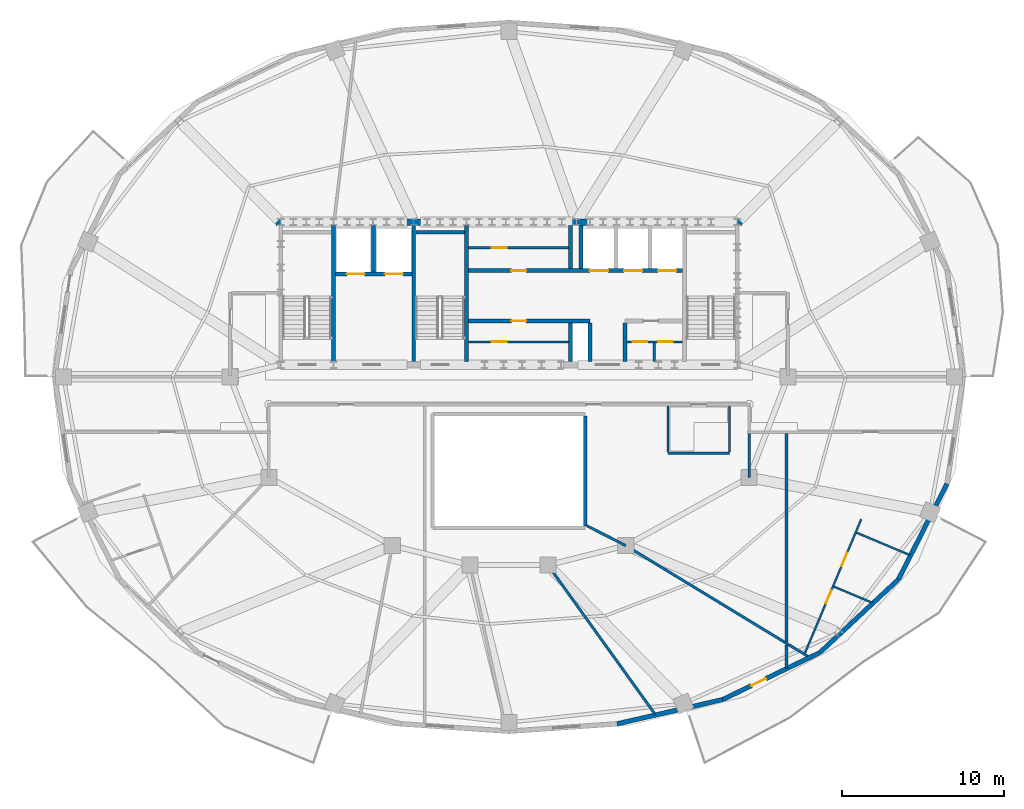
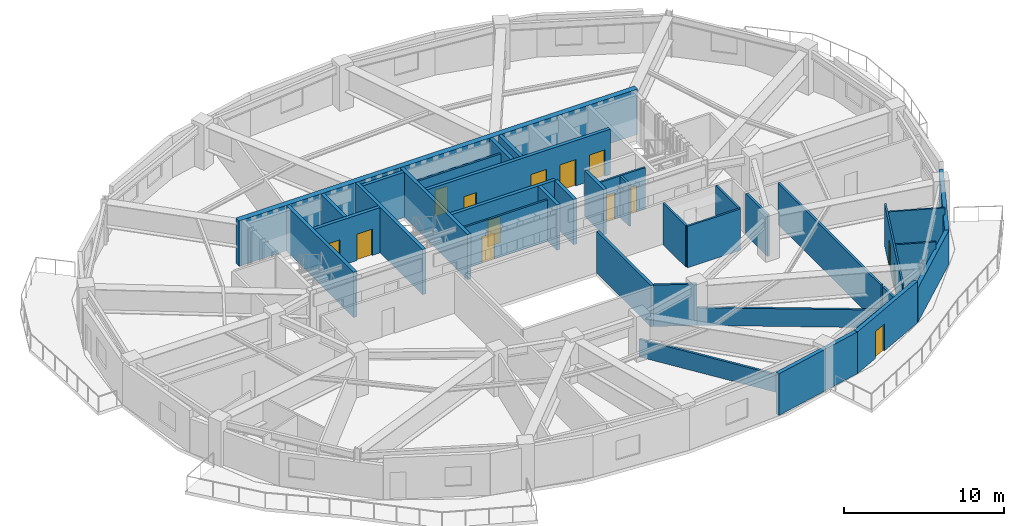
# One storey, part 5 of 12: 35 walls, 14 doors, 14 openings.
"""IFC4 building model written with IfcOpenShell, lengths in metres."""

from ifc_helpers import new_model, si_unit, direction, frame, frame_2d, origin, place, context, subcontext, project, spatial, rectangle, extrude, material, layer, layer_set, type_object, element, fill, save


model = new_model("IFC4")

# Units and contexts
model_context = context("Model", 3, precision=1e-05, world=origin(), true_north=direction((0.0, 1.0)))
body_context = subcontext(model_context, "Body", "Model", "MODEL_VIEW")
ifc_project = project(units=[si_unit("LENGTHUNIT", "METRE"), si_unit("AREAUNIT", "SQUARE_METRE"), si_unit("VOLUMEUNIT", "CUBIC_METRE"), si_unit("PLANEANGLEUNIT", "RADIAN"), si_unit("MASSUNIT", "GRAM", prefix="KILO")], contexts=[model_context])

# Site, building, storey
site_placement = place(None, origin())
site = spatial("IfcSite", under=ifc_project, at=site_placement, CompositionType="ELEMENT")
building_placement = place(site_placement, origin())
building = spatial("IfcBuilding", under=site, at=building_placement, Name="Haldorwick Loom Tower", CompositionType="ELEMENT")
storey_placement = place(building_placement, frame((0.0, 0.0, 237.449951171875)))
storey = spatial("IfcBuildingStorey", under=building, at=storey_placement, Name="L64", CompositionType="ELEMENT", Elevation=237.449951171875)

# Wall
ifc_material_1 = material(Name="Pressed Clay Face Brick and Insulated Masonry Backup Assembly", Category="masonry")
ifc_layer_1 = layer(ifc_material_1, 0.280029296875, Name="Pressed Clay Face Brick and Insulated Masonry Backup Assembly", Category="masonry")
ifc_layer_set_1 = layer_set([ifc_layer_1], Name="Pressed Clay Face Brick and Insulated Masonry Backup Assembly")
wall_type_1 = type_object("IfcWallType", Name="ARC-WL-EXT280", PredefinedType="STANDARD", material=ifc_layer_set_1)
wall_1_placement = place(storey_placement, frame((42.665283203125, 4.61279296875, 0.0), z_axis=(0.0, 0.0, 1.0), x_axis=(0.974557343474, 0.224138315065, 0.0)))
element("IfcWall", 1, at=wall_1_placement, inside=storey, type_object=wall_type_1, Name="L64 Brick Pier and Spandrel Wall 20", PredefinedType="STANDARD", context=body_context, shape_type="SweptSolid", body=[
    extrude(rectangle(XDim=6.676025390625, YDim=0.280029296875, at=frame_2d((3.337890625, 0.0))), origin(), (0.0, 0.0, 1.0), 3.170166015625),
])

# Wall, opening, door
wall_2_placement = place(storey_placement, frame((49.17138671875, 6.109130859375, 0.0), z_axis=(0.0, 0.0, 1.0), x_axis=(0.900371236029, 0.435122554381, 0.0)))
wall_2 = element("IfcWall", 2, at=wall_2_placement, inside=storey, type_object=wall_type_1, Name="L64 Brick Pier and Spandrel Wall 21", PredefinedType="STANDARD", context=body_context, shape_type="SweptSolid", body=[
    extrude(rectangle(XDim=6.6533203125, YDim=0.280029296875, at=frame_2d((3.32666015625, 0.0))), origin(), (0.0, 0.0, 1.0), 3.170166015625),
])
opening_1_placement = place(wall_2_placement, frame((1.96435546875, 0.0, 0.0)))
opening_1 = element("IfcOpeningElement", 3, at=opening_1_placement, cuts=wall_2, Name="Opening D-BL10", PredefinedType="OPENING", context=body_context, shape_type="SweptSolid", body=[
    extrude(rectangle(XDim=1.0, YDim=2.0400390625, at=frame_2d((0.5, 1.02001953125))), frame((0.0, 0.14990234375, 0.0), z_axis=(0.0, -1.0, 0.0), x_axis=(1.0, 0.0, 0.0)), (0.0, 0.0, 1.0), 0.300048828125),
])
ifc_material_2 = material(Name="Thermally Broken Anodized Aluminium Curtain Wall Framing", Category="aluminium")
door_type_1 = type_object("IfcDoorType", Name="ARC-DR-BAL100", OperationType="NOTDEFINED", PredefinedType="DOOR", material=ifc_material_2)
door_1_placement = place(opening_1_placement, origin())
door_1 = element("IfcDoor", 4, at=door_1_placement, inside=storey, type_object=door_type_1, Name="L64 Outdoor Terrace Door SLB-L64-BAL_SE", OperationType="SINGLE_SWING_RIGHT", OverallHeight=2.0400390625, OverallWidth=1.0, PredefinedType="DOOR", context=body_context, shape_type="SweptSolid", body=[
    extrude(rectangle(XDim=1.0, YDim=2.0400390625, at=frame_2d((0.5, 1.02001953125))), frame((0.0, 0.02490234375, 0.0), z_axis=(0.0, -1.0, 0.0), x_axis=(1.0, 0.0, 0.0)), (0.0, 0.0, 1.0), 0.050048828125),
])
fill(opening_1, door_1)

# Walls
wall_3_placement = place(storey_placement, frame((55.161865234375, 9.004150390625, 0.0), z_axis=(0.0, 0.0, 1.0), x_axis=(0.731833707499, 0.681483253329, 0.0)))
element("IfcWall", 5, at=wall_3_placement, inside=storey, type_object=wall_type_1, Name="L64 Brick Pier and Spandrel Wall 22", PredefinedType="STANDARD", context=body_context, shape_type="SweptSolid", body=[
    extrude(rectangle(XDim=6.61865234375, YDim=0.280029296875, at=frame_2d((3.309326171875, 0.0))), origin(), (0.0, 0.0, 1.0), 2.60107421875),
])
wall_4_placement = place(storey_placement, frame((60.005615234375, 13.5146484375, 0.0), z_axis=(0.0, 0.0, 1.0), x_axis=(0.453032066879, 0.89149422117, 0.0)))
element("IfcWall", 6, at=wall_4_placement, inside=storey, type_object=wall_type_1, Name="L64 Brick Pier and Spandrel Wall 23", PredefinedType="STANDARD", context=body_context, shape_type="SweptSolid", body=[
    extrude(rectangle(XDim=6.618896484375, YDim=0.280029296875, at=frame_2d((3.3095703125, 0.0))), origin(), (0.0, 0.0, 1.0), 2.60107421875),
])
ifc_material_3 = material(Name="Fire-Rated Type X Gypsum Stud Assembly EI 60")
ifc_layer_2 = layer(ifc_material_3, 0.159912109375, Name="Fire-Rated Type X Gypsum Stud Assembly EI 60")
ifc_layer_set_2 = layer_set([ifc_layer_2], Name="Fire-Rated Type X Gypsum Stud Assembly EI 60")
wall_type_2 = type_object("IfcWallType", Name="ARC-WL-FIRE160", PredefinedType="PARTITIONING", material=ifc_layer_set_2)
wall_5_placement = place(storey_placement, frame((43.199951171875, 15.60009765625, 0.0), z_axis=(0.0, 0.0, 1.0), x_axis=(0.854407477947, -0.519603561985, 0.0)))
element("IfcWall", 7, at=wall_5_placement, inside=storey, type_object=wall_type_2, Name="L64 Residential Fire Partition L64-ICR-03", PredefinedType="PARTITIONING", context=body_context, shape_type="SweptSolid", body=[
    extrude(rectangle(XDim=13.218994140625, YDim=0.159912109375, at=frame_2d((6.609375, 0.0))), origin(), (0.0, 0.0, 1.0), 1.344970703125),
])
wall_6_placement = place(storey_placement, frame((38.39990234375, 14.39990234375, 0.0), z_axis=(0.0, 0.0, 1.0), x_axis=(0.583388703296, -0.812193093338, 0.0)))
element("IfcWall", 8, at=wall_6_placement, inside=storey, type_object=wall_type_2, Name="L64 Residential Fire Partition L64-ICR-05", PredefinedType="PARTITIONING", context=body_context, shape_type="SweptSolid", body=[
    extrude(rectangle(XDim=11.32958984375, YDim=0.159912109375, at=frame_2d((5.664794921875, 0.0))), origin(), (0.0, 0.0, 1.0), 1.344970703125),
])
wall_7_placement = place(storey_placement, frame((50.800048828125, 22.51708984375, 0.0), z_axis=(0.0, 0.0, 1.0), x_axis=(0.0, -1.0, 0.0)))
element("IfcWall", 9, at=wall_7_placement, inside=storey, type_object=wall_type_2, Name="L64 Residential Fire Partition L64-ICA-01", PredefinedType="PARTITIONING", context=body_context, shape_type="SweptSolid", body=[
    extrude(rectangle(XDim=2.717041015625, YDim=0.159912109375, at=frame_2d((1.3583984375, 0.0))), origin(), (0.0, 0.0, 1.0), 3.155029296875),
])
wall_8_placement = place(storey_placement, frame((40.802978515625, 16.822021484375, 0.0), z_axis=(0.0, 0.0, 1.0), x_axis=(0.890915506237, -0.454169088278, 0.0)))
element("IfcWall", 10, at=wall_8_placement, inside=storey, type_object=wall_type_2, Name="L64 Residential Fire Partition L64-ICA-02", PredefinedType="PARTITIONING", context=body_context, shape_type="SweptSolid", body=[
    extrude(rectangle(XDim=2.6904296875, YDim=0.159912109375, at=frame_2d((1.34521484375, 0.0))), origin(), (0.0, 0.0, 1.0), 3.155029296875),
])
wall_9_placement = place(storey_placement, frame((53.109619140625, 8.062255859375, 0.0), z_axis=(0.0, 0.0, 1.0), x_axis=(0.0, 1.0, 0.0)))
element("IfcWall", 11, at=wall_9_placement, inside=storey, type_object=wall_type_2, Name="L64 Suite Split Wall", PredefinedType="PARTITIONING", context=body_context, shape_type="SweptSolid", body=[
    extrude(rectangle(XDim=1.414306640625, YDim=0.159912109375, at=frame_2d((0.70703125, 0.0))), origin(), (0.0, 0.0, 1.0), 3.155029296875),
])
wall_10_placement = place(storey_placement, frame((53.109619140625, 9.6708984375, 0.0), z_axis=(0.0, 0.0, 1.0), x_axis=(0.0, 1.0, 0.0)))
element("IfcWall", 12, at=wall_10_placement, inside=storey, type_object=wall_type_2, Name="L64 Suite Split Wall", PredefinedType="PARTITIONING", context=body_context, shape_type="SweptSolid", body=[
    extrude(rectangle(XDim=12.84619140625, YDim=0.159912109375, at=frame_2d((6.423095703125, 0.0))), origin(), (0.0, 0.0, 1.0), 3.155029296875),
])
ifc_material_4 = material(Name="Fire-Rated Type X Gypsum Stud Assembly EI 120")
ifc_layer_3 = layer(ifc_material_4, 0.199951171875, Name="Fire-Rated Type X Gypsum Stud Assembly EI 120")
ifc_layer_set_3 = layer_set([ifc_layer_3], Name="Fire-Rated Type X Gypsum Stud Assembly EI 120")
wall_type_3 = type_object("IfcWallType", Name="ARC-WL-FIRE200", PredefinedType="PARTITIONING", material=ifc_layer_set_3)
wall_11_placement = place(storey_placement, frame((40.699951171875, 23.596923828125, 0.0), z_axis=(0.0, 0.0, 1.0), x_axis=(0.0, -1.0, 0.0)))
element("IfcWall", 13, at=wall_11_placement, inside=storey, type_object=wall_type_3, Name="L64 Atrium Fire Enclosure Wall E", PredefinedType="PARTITIONING", context=body_context, shape_type="SweptSolid", body=[
    extrude(rectangle(XDim=6.7939453125, YDim=0.199951171875, at=frame_2d((3.39697265625, 0.0))), origin(), (0.0, 0.0, 1.0), 3.155029296875),
])

# Wall, openings, doors
ifc_material_5 = material(Name="Acoustic Gypsum Stud Assembly STC 55")
ifc_layer_4 = layer(ifc_material_5, 0.1201171875, Name="Acoustic Gypsum Stud Assembly STC 55")
ifc_layer_set_4 = layer_set([ifc_layer_4], Name="Acoustic Gypsum Stud Assembly STC 55")
wall_type_4 = type_object("IfcWallType", Name="ARC-WL-PART120", PredefinedType="PARTITIONING", material=ifc_layer_set_4)
wall_12_placement = place(storey_placement, frame((54.246826171875, 8.979248046875, 0.0), z_axis=(0.0, 0.0, 1.0), x_axis=(0.387700455995, 0.921785417774, 0.0)))
wall_12 = element("IfcWall", 14, at=wall_12_placement, inside=storey, type_object=wall_type_4, Name="L64 Unit 64B Interior Partition", PredefinedType="PARTITIONING", context=body_context, shape_type="SweptSolid", body=[
    extrude(rectangle(XDim=8.939453125, YDim=0.1201171875, at=frame_2d((4.4697265625, 0.0))), origin(), (0.0, 0.0, 1.0), 3.155029296875),
])
opening_2_placement = place(wall_12_placement, frame((3.30419921875, 0.0, 0.0)))
opening_2 = element("IfcOpeningElement", 15, at=opening_2_placement, cuts=wall_12, Name="Opening D-BT88", PredefinedType="OPENING", context=body_context, shape_type="SweptSolid", body=[
    extrude(rectangle(XDim=0.8798828125, YDim=2.02001953125, at=frame_2d((0.43994140625, 1.010009765625))), frame((0.0, 0.070068359375, 0.0), z_axis=(0.0, -1.0, 0.0), x_axis=(1.0, 0.0, 0.0)), (0.0, 0.0, 1.0), 0.14013671875),
])
opening_3_placement = place(wall_12_placement, frame((5.8076171875, 0.0, 0.0)))
opening_3 = element("IfcOpeningElement", 16, at=opening_3_placement, cuts=wall_12, Name="Opening D-IN90", PredefinedType="OPENING", context=body_context, shape_type="SweptSolid", body=[
    extrude(rectangle(XDim=0.89990234375, YDim=2.0400390625, at=frame_2d((0.449951171875, 1.02001953125))), frame((0.0, 0.070068359375, 0.0), z_axis=(0.0, -1.0, 0.0), x_axis=(1.0, 0.0, 0.0)), (0.0, 0.0, 1.0), 0.14013671875),
])
ifc_material_6 = material(Name="Solid Core Birch Architectural Door")
door_type_2 = type_object("IfcDoorType", Name="ARC-DR-BATH88", OperationType="NOTDEFINED", PredefinedType="DOOR", material=ifc_material_6)
door_2_placement = place(opening_2_placement, origin())
door_2 = element("IfcDoor", 17, at=door_2_placement, inside=storey, type_object=door_type_2, Name="L64 Unit 64B Kitchen and Living Room to Unit 64B Bathroom Door", OperationType="SINGLE_SWING_LEFT", OverallHeight=2.02001953125, OverallWidth=0.8798828125, PredefinedType="DOOR", context=body_context, shape_type="SweptSolid", body=[
    extrude(rectangle(XDim=0.8798828125, YDim=2.02001953125, at=frame_2d((0.43994140625, 1.010009765625))), frame((0.0, 0.02490234375, 0.0), z_axis=(0.0, -1.0, 0.0), x_axis=(1.0, 0.0, 0.0)), (0.0, 0.0, 1.0), 0.050048828125),
])
fill(opening_2, door_2)
door_type_3 = type_object("IfcDoorType", Name="ARC-DR-INT90", OperationType="NOTDEFINED", PredefinedType="DOOR", material=ifc_material_6)
door_3_placement = place(opening_3_placement, origin())
door_3 = element("IfcDoor", 18, at=door_3_placement, inside=storey, type_object=door_type_3, Name="L64 Unit 64B Kitchen and Living Room to Unit 64B Bedroom 1 Door", OperationType="SINGLE_SWING_LEFT", OverallHeight=2.0400390625, OverallWidth=0.89990234375, PredefinedType="DOOR", context=body_context, shape_type="SweptSolid", body=[
    extrude(rectangle(XDim=0.89990234375, YDim=2.0400390625, at=frame_2d((0.449951171875, 1.02001953125))), frame((0.0, 0.02490234375, 0.0), z_axis=(0.0, -1.0, 0.0), x_axis=(1.0, 0.0, 0.0)), (0.0, 0.0, 1.0), 0.050048828125),
])
fill(opening_3, door_3)

# Walls
wall_13_placement = place(storey_placement, frame((57.434326171875, 16.39501953125, 0.0), z_axis=(0.0, 0.0, 1.0), x_axis=(0.921779828871, -0.387713743742, 0.0)))
element("IfcWall", 19, at=wall_13_placement, inside=storey, type_object=wall_type_4, Name="L64 Unit 64B Interior Partition", PredefinedType="PARTITIONING", context=body_context, shape_type="SweptSolid", body=[
    extrude(rectangle(XDim=3.5615234375, YDim=0.1201171875, at=frame_2d((1.78076171875, 0.0))), origin(), (0.0, 0.0, 1.0), 3.155029296875),
])
wall_14_placement = place(storey_placement, frame((56.03564453125, 13.06982421875, 0.0), z_axis=(0.0, 0.0, 1.0), x_axis=(0.921796821183, -0.387673342463, 0.0)))
element("IfcWall", 20, at=wall_14_placement, inside=storey, type_object=wall_type_4, Name="L64 Unit 64B Interior Partition", PredefinedType="PARTITIONING", context=body_context, shape_type="SweptSolid", body=[
    extrude(rectangle(XDim=2.560546875, YDim=0.1201171875, at=frame_2d((1.2802734375, 0.0))), origin(), (0.0, 0.0, 1.0), 3.155029296875),
])

# Wall, opening, door
ifc_layer_5 = layer(ifc_material_3, 0.139892578125, Name="Fire-Rated Type X Gypsum Stud Assembly EI 60")
ifc_layer_set_5 = layer_set([ifc_layer_5], Name="Fire-Rated Type X Gypsum Stud Assembly EI 60")
wall_type_5 = type_object("IfcWallType", Name="ARC-WL-PART140", PredefinedType="PARTITIONING", material=ifc_layer_set_5)
wall_15_placement = place(storey_placement, frame((33.492919921875, 33.9599609375, 0.0), z_axis=(0.0, 0.0, 1.0), x_axis=(1.0, 0.0, 0.0)))
wall_15 = element("IfcWall", 21, at=wall_15_placement, inside=storey, type_object=wall_type_5, Name="L64 Alcove Partition", PredefinedType="PARTITIONING", context=body_context, shape_type="SweptSolid", body=[
    extrude(rectangle(XDim=6.18408203125, YDim=0.139892578125, at=frame_2d((3.092041015625, 0.0))), origin(), (0.0, 0.0, 1.0), 3.155029296875),
])
opening_4_placement = place(wall_15_placement, frame((1.45703125, 0.0, 0.0)))
opening_4 = element("IfcOpeningElement", 22, at=opening_4_placement, cuts=wall_15, Name="Opening D-FD60A", PredefinedType="OPENING", context=body_context, shape_type="SweptSolid", body=[
    extrude(rectangle(XDim=0.89990234375, YDim=2.0, at=frame_2d((0.449951171875, 1.0))), frame((0.0, 0.079833984375, 0.0), z_axis=(0.0, -1.0, 0.0), x_axis=(1.0, 0.0, 0.0)), (0.0, 0.0, 1.0), 0.159912109375),
])
ifc_material_7 = material(Name="Hollow Steel Fire Door Assembly", Category="steel")
door_type_4 = type_object("IfcDoorType", Name="ARC-DR-FD60-90", OperationType="NOTDEFINED", PredefinedType="DOOR", material=ifc_material_7)
door_4_placement = place(opening_4_placement, frame((0.89990234375, 0.0, 0.0), z_axis=(0.0, 0.0, 1.0), x_axis=(-1.0, 0.0, 0.0)))
door_4 = element("IfcDoor", 23, at=door_4_placement, inside=storey, type_object=door_type_4, Name="L64 Trunk Store Door", OperationType="SINGLE_SWING_LEFT", OverallHeight=2.0, OverallWidth=0.89990234375, PredefinedType="DOOR", context=body_context, shape_type="SweptSolid", body=[
    extrude(rectangle(XDim=0.89990234375, YDim=2.0, at=frame_2d((0.449951171875, 1.0))), frame((0.0, 0.02490234375, 0.0), z_axis=(0.0, -1.0, 0.0), x_axis=(1.0, 0.0, 0.0)), (0.0, 0.0, 1.0), 0.050048828125),
])
fill(opening_4, door_4)

wall_16_placement = place(storey_placement, frame((33.492919921875, 28.159912109375, 0.0), z_axis=(0.0, 0.0, 1.0), x_axis=(1.0, 0.0, 0.0)))
wall_16 = element("IfcWall", 24, at=wall_16_placement, inside=storey, type_object=wall_type_5, Name="L64 Mid-Bank Horizontal Partition", PredefinedType="PARTITIONING", context=body_context, shape_type="SweptSolid", body=[
    extrude(rectangle(XDim=6.18408203125, YDim=0.139892578125, at=frame_2d((3.092041015625, 0.0))), origin(), (0.0, 0.0, 1.0), 3.155029296875),
])
opening_5_placement = place(wall_16_placement, frame((1.45703125, 0.0, 0.0)))
opening_5 = element("IfcOpeningElement", 25, at=opening_5_placement, cuts=wall_16, Name="Opening D-FD60A", PredefinedType="OPENING", context=body_context, shape_type="SweptSolid", body=[
    extrude(rectangle(XDim=0.89990234375, YDim=2.0, at=frame_2d((0.449951171875, 1.0))), frame((0.0, 0.079833984375, 0.0), z_axis=(0.0, -1.0, 0.0), x_axis=(1.0, 0.0, 0.0)), (0.0, 0.0, 1.0), 0.159912109375),
])
door_5_placement = place(opening_5_placement, origin())
door_5 = element("IfcDoor", 26, at=door_5_placement, inside=storey, type_object=door_type_4, Name="L64 Archive Store Door", OperationType="SINGLE_SWING_RIGHT", OverallHeight=2.0, OverallWidth=0.89990234375, PredefinedType="DOOR", context=body_context, shape_type="SweptSolid", body=[
    extrude(rectangle(XDim=0.89990234375, YDim=2.0, at=frame_2d((0.449951171875, 1.0))), frame((0.0, 0.02490234375, 0.0), z_axis=(0.0, -1.0, 0.0), x_axis=(1.0, 0.0, 0.0)), (0.0, 0.0, 1.0), 0.050048828125),
])
fill(opening_5, door_5)

# Wall, openings, doors
wall_17_placement = place(storey_placement, frame((43.27294921875, 28.159912109375, 0.0), z_axis=(0.0, 0.0, 1.0), x_axis=(1.0, 0.0, 0.0)))
wall_17 = element("IfcWall", 27, at=wall_17_placement, inside=storey, type_object=wall_type_5, Name="L64 Telecom Partition", PredefinedType="PARTITIONING", context=body_context, shape_type="SweptSolid", body=[
    extrude(rectangle(XDim=3.43408203125, YDim=0.139892578125, at=frame_2d((1.717041015625, 0.0))), origin(), (0.0, 0.0, 1.0), 3.155029296875),
])
opening_6_placement = place(wall_17_placement, frame((0.366943359375, 0.0, 0.0)))
opening_6 = element("IfcOpeningElement", 28, at=opening_6_placement, cuts=wall_17, Name="Opening D-BT88", PredefinedType="OPENING", context=body_context, shape_type="SweptSolid", body=[
    extrude(rectangle(XDim=0.8798828125, YDim=2.02001953125, at=frame_2d((0.43994140625, 1.010009765625))), frame((0.0, 0.079833984375, 0.0), z_axis=(0.0, -1.0, 0.0), x_axis=(1.0, 0.0, 0.0)), (0.0, 0.0, 1.0), 0.159912109375),
])
opening_7_placement = place(wall_17_placement, frame((1.93701171875, 0.0, 0.0)))
opening_7 = element("IfcOpeningElement", 29, at=opening_7_placement, cuts=wall_17, Name="Opening D-BT88", PredefinedType="OPENING", context=body_context, shape_type="SweptSolid", body=[
    extrude(rectangle(XDim=0.8798828125, YDim=2.02001953125, at=frame_2d((0.43994140625, 1.010009765625))), frame((0.0, 0.079833984375, 0.0), z_axis=(0.0, -1.0, 0.0), x_axis=(1.0, 0.0, 0.0)), (0.0, 0.0, 1.0), 0.159912109375),
])
door_6_placement = place(opening_6_placement, origin())
door_6 = element("IfcDoor", 30, at=door_6_placement, inside=storey, type_object=door_type_2, Name="L64 Telecom Room Door", OperationType="SINGLE_SWING_LEFT", OverallHeight=2.02001953125, OverallWidth=0.8798828125, PredefinedType="DOOR", context=body_context, shape_type="SweptSolid", body=[
    extrude(rectangle(XDim=0.8798828125, YDim=2.02001953125, at=frame_2d((0.43994140625, 1.010009765625))), frame((0.0, 0.02490234375, 0.0), z_axis=(0.0, -1.0, 0.0), x_axis=(1.0, 0.0, 0.0)), (0.0, 0.0, 1.0), 0.050048828125),
])
fill(opening_6, door_6)
door_7_placement = place(opening_7_placement, origin())
door_7 = element("IfcDoor", 31, at=door_7_placement, inside=storey, type_object=door_type_2, Name="L64 Metering Closet Door", OperationType="SINGLE_SWING_RIGHT", OverallHeight=2.02001953125, OverallWidth=0.8798828125, PredefinedType="DOOR", context=body_context, shape_type="SweptSolid", body=[
    extrude(rectangle(XDim=0.8798828125, YDim=2.02001953125, at=frame_2d((0.43994140625, 1.010009765625))), frame((0.0, 0.02490234375, 0.0), z_axis=(0.0, -1.0, 0.0), x_axis=(1.0, 0.0, 0.0)), (0.0, 0.0, 1.0), 0.050048828125),
])
fill(opening_7, door_7)

# Walls
wall_18_placement = place(storey_placement, frame((44.949951171875, 26.952880859375, 0.0), z_axis=(0.0, 0.0, 1.0), x_axis=(0.0, 1.0, 0.0)))
element("IfcWall", 32, at=wall_18_placement, inside=storey, type_object=wall_type_5, Name="L64 Metering Sub-Partition", PredefinedType="PARTITIONING", context=body_context, shape_type="SweptSolid", body=[
    extrude(rectangle(XDim=1.134033203125, YDim=0.139892578125, at=frame_2d((0.56689453125, 0.0))), origin(), (0.0, 0.0, 1.0), 3.155029296875),
])
wall_19_placement = place(storey_placement, frame((45.800048828125, 21.300048828125, 0.0), z_axis=(0.0, 0.0, 1.0), x_axis=(1.0, 0.0, 0.0)))
element("IfcWall", 33, at=wall_19_placement, inside=storey, type_object=wall_type_5, Name="L64 Residential Fire Partition L64-CWC-S", PredefinedType="PARTITIONING", context=body_context, shape_type="SweptSolid", body=[
    extrude(rectangle(XDim=3.800048828125, YDim=0.139892578125, at=frame_2d((1.89990234375, 0.0))), origin(), (0.0, 0.0, 1.0), 3.155029296875),
])
for number, where, z_axis, x_axis, name in (
    (34, (45.800048828125, 21.373046875, 0.0), (0.0, 0.0, 1.0), (0.0, 1.0, 0.0), "L64 Residential Fire Partition L64-CWC-W"),
    (35, (49.60009765625, 21.373046875, 0.0), (0.0, 0.0, 1.0), (0.0, 1.0, 0.0), "L64 Residential Fire Partition L64-CWC-E"),
):
    element("IfcWall", number, at=place(storey_placement, frame(where, z_axis=z_axis, x_axis=x_axis)), inside=storey, type_object=wall_type_5, Name=name, PredefinedType="PARTITIONING", context=body_context, shape_type="SweptSolid", body=[
        extrude(rectangle(XDim=2.843994140625, YDim=0.139892578125, at=frame_2d((1.421875, 0.0))), origin(), (0.0, 0.0, 1.0), 3.155029296875),
    ])
ifc_material_8 = material(Name="Concrete C50 (50 MPa)", Category="concrete")
ifc_layer_6 = layer(ifc_material_8, 0.39990234375, Name="Concrete C50 (50 MPa)", Category="concrete")
ifc_layer_set_6 = layer_set([ifc_layer_6], Name="Concrete C50 (50 MPa)")
wall_type_6 = type_object("IfcWallType", Name="STR-WL-CORE400", PredefinedType="SHEAR", material=ifc_layer_set_6)
wall_20_placement = place(storey_placement, frame((50.35009765625, 35.550048828125, 0.0), z_axis=(0.0, 0.0, 1.0), x_axis=(-1.0, 0.0, 0.0)))
element("IfcWall", 36, at=wall_20_placement, inside=storey, type_object=wall_type_6, Name="L64 Core Shear Wall N", PredefinedType="SHEAR", context=body_context, shape_type="SweptSolid", body=[
    extrude(rectangle(XDim=28.7001953125, YDim=0.39990234375, at=frame_2d((14.35009765625, 0.0))), origin(), (0.0, 0.0, 1.0), 3.449951171875),
])
ifc_layer_7 = layer(ifc_material_8, 0.239990234375, Name="Concrete C50 (50 MPa)", Category="concrete")
ifc_layer_set_7 = layer_set([ifc_layer_7], Name="Concrete C50 (50 MPa)")
wall_type_7 = type_object("IfcWallType", Name="STR-WL-SHAFT240", PredefinedType="SHEAR", material=ifc_layer_set_7)
for number, where, z_axis, x_axis, name in (
    (37, (25.169921875, 26.952880859375, 0.0), (0.0, 0.0, 1.0), (0.0, 1.0, 0.0), "L64 Core Shear Wall 1"),
    (38, (30.1298828125, 26.952880859375, 0.0), (0.0, 0.0, 1.0), (0.0, 1.0, 0.0), "L64 Core Shear Wall 2"),
    (39, (33.3701171875, 26.952880859375, 0.0), (0.0, 0.0, 1.0), (0.0, 1.0, 0.0), "L64 Core Shear Wall 3"),
):
    element("IfcWall", number, at=place(storey_placement, frame(where, z_axis=z_axis, x_axis=x_axis)), inside=storey, type_object=wall_type_7, Name=name, PredefinedType="SHEAR", context=body_context, shape_type="SweptSolid", body=[
        extrude(rectangle(XDim=8.39404296875, YDim=0.239990234375, at=frame_2d((4.197021484375, 0.0))), origin(), (0.0, 0.0, 1.0), 3.449951171875),
    ])
wall_21_placement = place(storey_placement, frame((30.2529296875, 34.919921875, 0.0), z_axis=(0.0, 0.0, 1.0), x_axis=(1.0, 0.0, 0.0)))
element("IfcWall", 40, at=wall_21_placement, inside=storey, type_object=wall_type_7, Name="L64 Core Shear Wall 3N", PredefinedType="SHEAR", context=body_context, shape_type="SweptSolid", body=[
    extrude(rectangle(XDim=2.994140625, YDim=0.239990234375, at=frame_2d((1.4970703125, 0.0))), origin(), (0.0, 0.0, 1.0), 3.449951171875),
])

# Wall, openings, doors
wall_22_placement = place(storey_placement, frame((25.29296875, 32.35009765625, 0.0), z_axis=(0.0, 0.0, 1.0), x_axis=(1.0, 0.0, 0.0)))
wall_22 = element("IfcWall", 41, at=wall_22_placement, inside=storey, type_object=wall_type_7, Name="L64 Core Shear Wall FF", PredefinedType="SHEAR", context=body_context, shape_type="SweptSolid", body=[
    extrude(rectangle(XDim=4.714111328125, YDim=0.239990234375, at=frame_2d((2.35693359375, 0.0))), origin(), (0.0, 0.0, 1.0), 3.449951171875),
])
opening_8_placement = place(wall_22_placement, frame((0.70703125, 0.0, 0.0)))
opening_8 = element("IfcOpeningElement", 42, at=opening_8_placement, cuts=wall_22, Name="Opening LD-FF1", PredefinedType="OPENING", context=body_context, shape_type="SweptSolid", body=[
    extrude(rectangle(XDim=1.10009765625, YDim=2.0, at=frame_2d((0.550048828125, 1.0))), frame((0.0, 0.1298828125, 0.0), z_axis=(0.0, -1.0, 0.0), x_axis=(1.0, 0.0, 0.0)), (0.0, 0.0, 1.0), 0.260009765625),
])
opening_9_placement = place(wall_22_placement, frame((3.056884765625, 0.0, 0.0)))
opening_9 = element("IfcOpeningElement", 43, at=opening_9_placement, cuts=wall_22, Name="Opening LD-FF2", PredefinedType="OPENING", context=body_context, shape_type="SweptSolid", body=[
    extrude(rectangle(XDim=1.10009765625, YDim=2.0, at=frame_2d((0.550048828125, 1.0))), frame((0.0, 0.1298828125, 0.0), z_axis=(0.0, -1.0, 0.0), x_axis=(1.0, 0.0, 0.0)), (0.0, 0.0, 1.0), 0.260009765625),
])
door_type_5 = type_object("IfcDoorType", Name="ARC-DR-LD-FF", OperationType="NOTDEFINED", PredefinedType="USERDEFINED", material=ifc_material_7)
door_8_placement = place(opening_8_placement, origin())
door_8 = element("IfcDoor", 44, at=door_8_placement, inside=storey, type_object=door_type_5, Name="L64 Lift LF-FF1 Sliding Landing Door", ObjectType="LANDING DOOR", OperationType="DOUBLE_DOOR_SLIDING", OverallHeight=2.0, OverallWidth=1.10009765625, PredefinedType="USERDEFINED", context=body_context, shape_type="SweptSolid", body=[
    extrude(rectangle(XDim=1.10009765625, YDim=2.0, at=frame_2d((0.550048828125, 1.0))), frame((0.0, 0.02490234375, 0.0), z_axis=(0.0, -1.0, 0.0), x_axis=(1.0, 0.0, 0.0)), (0.0, 0.0, 1.0), 0.050048828125),
])
fill(opening_8, door_8)
door_9_placement = place(opening_9_placement, origin())
door_9 = element("IfcDoor", 45, at=door_9_placement, inside=storey, type_object=door_type_5, Name="L64 Lift LF-FF2 Sliding Landing Door", ObjectType="LANDING DOOR", OperationType="DOUBLE_DOOR_SLIDING", OverallHeight=2.0, OverallWidth=1.10009765625, PredefinedType="USERDEFINED", context=body_context, shape_type="SweptSolid", body=[
    extrude(rectangle(XDim=1.10009765625, YDim=2.0, at=frame_2d((0.550048828125, 1.0))), frame((0.0, 0.02490234375, 0.0), z_axis=(0.0, -1.0, 0.0), x_axis=(1.0, 0.0, 0.0)), (0.0, 0.0, 1.0), 0.050048828125),
])
fill(opening_9, door_9)

# Wall
wall_23_placement = place(storey_placement, frame((27.64990234375, 32.472900390625, 0.0), z_axis=(0.0, 0.0, 1.0), x_axis=(0.0, 1.0, 0.0)))
element("IfcWall", 46, at=wall_23_placement, inside=storey, type_object=wall_type_7, Name="L64 Core Shear Wall FFD", PredefinedType="SHEAR", context=body_context, shape_type="SweptSolid", body=[
    extrude(rectangle(XDim=2.8740234375, YDim=0.239990234375, at=frame_2d((1.43701171875, 0.0))), origin(), (0.0, 0.0, 1.0), 3.449951171875),
])

# Wall, openings, doors
wall_24_placement = place(storey_placement, frame((33.492919921875, 32.550048828125, 0.0), z_axis=(0.0, 0.0, 1.0), x_axis=(1.0, 0.0, 0.0)))
wall_24 = element("IfcWall", 47, at=wall_24_placement, inside=storey, type_object=wall_type_7, Name="L64 Core Shear Wall LN", PredefinedType="SHEAR", context=body_context, shape_type="SweptSolid", body=[
    extrude(rectangle(XDim=13.214111328125, YDim=0.239990234375, at=frame_2d((6.60693359375, 0.0))), origin(), (0.0, 0.0, 1.0), 3.449951171875),
])
opening_10_placement = place(wall_24_placement, frame((2.656982421875, 0.0, 0.0)))
opening_10 = element("IfcOpeningElement", 48, at=opening_10_placement, cuts=wall_24, Name="Opening D-FD60A", PredefinedType="OPENING", context=body_context, shape_type="SweptSolid", body=[
    extrude(rectangle(XDim=0.89990234375, YDim=2.0, at=frame_2d((0.449951171875, 1.0))), frame((0.0, 0.1298828125, 0.0), z_axis=(0.0, -1.0, 0.0), x_axis=(1.0, 0.0, 0.0)), (0.0, 0.0, 1.0), 0.260009765625),
])
opening_11_placement = place(wall_24_placement, frame((7.4970703125, 0.0, 0.0)))
opening_11 = element("IfcOpeningElement", 49, at=opening_11_placement, cuts=wall_24, Name="Opening LD-H1", PredefinedType="OPENING", context=body_context, shape_type="SweptSolid", body=[
    extrude(rectangle(XDim=1.1201171875, YDim=2.0, at=frame_2d((0.56005859375, 1.0))), frame((0.0, 0.1298828125, 0.0), z_axis=(0.0, -1.0, 0.0), x_axis=(1.0, 0.0, 0.0)), (0.0, 0.0, 1.0), 0.260009765625),
])
opening_12_placement = place(wall_24_placement, frame((9.596923828125, 0.0, 0.0)))
opening_12 = element("IfcOpeningElement", 50, at=opening_12_placement, cuts=wall_24, Name="Opening LD-H2", PredefinedType="OPENING", context=body_context, shape_type="SweptSolid", body=[
    extrude(rectangle(XDim=1.1201171875, YDim=2.0, at=frame_2d((0.56005859375, 1.0))), frame((0.0, 0.1298828125, 0.0), z_axis=(0.0, -1.0, 0.0), x_axis=(1.0, 0.0, 0.0)), (0.0, 0.0, 1.0), 0.260009765625),
])
opening_13_placement = place(wall_24_placement, frame((11.697021484375, 0.0, 0.0)))
opening_13 = element("IfcOpeningElement", 51, at=opening_13_placement, cuts=wall_24, Name="Opening LD-H3", PredefinedType="OPENING", context=body_context, shape_type="SweptSolid", body=[
    extrude(rectangle(XDim=1.1201171875, YDim=2.0, at=frame_2d((0.56005859375, 1.0))), frame((0.0, 0.1298828125, 0.0), z_axis=(0.0, -1.0, 0.0), x_axis=(1.0, 0.0, 0.0)), (0.0, 0.0, 1.0), 0.260009765625),
])
door_10_placement = place(opening_10_placement, frame((0.89990234375, 0.0, 0.0), z_axis=(0.0, 0.0, 1.0), x_axis=(-1.0, 0.0, 0.0)))
door_10 = element("IfcDoor", 52, at=door_10_placement, inside=storey, type_object=door_type_4, Name="L64 Floor Equipment Door", OperationType="SINGLE_SWING_RIGHT", OverallHeight=2.0, OverallWidth=0.89990234375, PredefinedType="DOOR", context=body_context, shape_type="SweptSolid", body=[
    extrude(rectangle(XDim=0.89990234375, YDim=2.0, at=frame_2d((0.449951171875, 1.0))), frame((0.0, 0.02490234375, 0.0), z_axis=(0.0, -1.0, 0.0), x_axis=(1.0, 0.0, 0.0)), (0.0, 0.0, 1.0), 0.050048828125),
])
fill(opening_10, door_10)
door_type_6 = type_object("IfcDoorType", Name="ARC-DR-LD-PAX", OperationType="NOTDEFINED", PredefinedType="USERDEFINED", material=ifc_material_7)
door_11_placement = place(opening_11_placement, origin())
door_11 = element("IfcDoor", 53, at=door_11_placement, inside=storey, type_object=door_type_6, Name="L64 Lift LF-H1 Sliding Landing Door", ObjectType="LANDING DOOR", OperationType="DOUBLE_DOOR_SLIDING", OverallHeight=2.0, OverallWidth=1.1201171875, PredefinedType="USERDEFINED", context=body_context, shape_type="SweptSolid", body=[
    extrude(rectangle(XDim=1.1201171875, YDim=2.0, at=frame_2d((0.56005859375, 1.0))), frame((0.0, 0.02490234375, 0.0), z_axis=(0.0, -1.0, 0.0), x_axis=(1.0, 0.0, 0.0)), (0.0, 0.0, 1.0), 0.050048828125),
])
fill(opening_11, door_11)
door_12_placement = place(opening_12_placement, origin())
door_12 = element("IfcDoor", 54, at=door_12_placement, inside=storey, type_object=door_type_6, Name="L64 Lift LF-H2 Sliding Landing Door", ObjectType="LANDING DOOR", OperationType="DOUBLE_DOOR_SLIDING", OverallHeight=2.0, OverallWidth=1.1201171875, PredefinedType="USERDEFINED", context=body_context, shape_type="SweptSolid", body=[
    extrude(rectangle(XDim=1.1201171875, YDim=2.0, at=frame_2d((0.56005859375, 1.0))), frame((0.0, 0.02490234375, 0.0), z_axis=(0.0, -1.0, 0.0), x_axis=(1.0, 0.0, 0.0)), (0.0, 0.0, 1.0), 0.050048828125),
])
fill(opening_12, door_12)
door_13_placement = place(opening_13_placement, origin())
door_13 = element("IfcDoor", 55, at=door_13_placement, inside=storey, type_object=door_type_6, Name="L64 Lift LF-H3 Sliding Landing Door", ObjectType="LANDING DOOR", OperationType="DOUBLE_DOOR_SLIDING", OverallHeight=2.0, OverallWidth=1.1201171875, PredefinedType="USERDEFINED", context=body_context, shape_type="SweptSolid", body=[
    extrude(rectangle(XDim=1.1201171875, YDim=2.0, at=frame_2d((0.56005859375, 1.0))), frame((0.0, 0.02490234375, 0.0), z_axis=(0.0, -1.0, 0.0), x_axis=(1.0, 0.0, 0.0)), (0.0, 0.0, 1.0), 0.050048828125),
])
fill(opening_13, door_13)

# Wall, opening, door
wall_25_placement = place(storey_placement, frame((33.492919921875, 29.449951171875, 0.0), z_axis=(0.0, 0.0, 1.0), x_axis=(1.0, 0.0, 0.0)))
wall_25 = element("IfcWall", 56, at=wall_25_placement, inside=storey, type_object=wall_type_7, Name="L64 Core Shear Wall LS1", PredefinedType="SHEAR", context=body_context, shape_type="SweptSolid", body=[
    extrude(rectangle(XDim=7.507080078125, YDim=0.239990234375, at=frame_2d((3.75341796875, 0.0))), origin(), (0.0, 0.0, 1.0), 3.449951171875),
])
opening_14_placement = place(wall_25_placement, frame((2.656982421875, 0.0, 0.0)))
opening_14 = element("IfcOpeningElement", 57, at=opening_14_placement, cuts=wall_25, Name="Opening D-FD60A", PredefinedType="OPENING", context=body_context, shape_type="SweptSolid", body=[
    extrude(rectangle(XDim=0.89990234375, YDim=2.0, at=frame_2d((0.449951171875, 1.0))), frame((0.0, 0.1298828125, 0.0), z_axis=(0.0, -1.0, 0.0), x_axis=(1.0, 0.0, 0.0)), (0.0, 0.0, 1.0), 0.260009765625),
])
door_14_placement = place(opening_14_placement, origin())
door_14 = element("IfcDoor", 58, at=door_14_placement, inside=storey, type_object=door_type_4, Name="L64 Metering Closet Door", OperationType="SINGLE_SWING_LEFT", OverallHeight=2.0, OverallWidth=0.89990234375, PredefinedType="DOOR", context=body_context, shape_type="SweptSolid", body=[
    extrude(rectangle(XDim=0.89990234375, YDim=2.0, at=frame_2d((0.449951171875, 1.0))), frame((0.0, 0.02490234375, 0.0), z_axis=(0.0, -1.0, 0.0), x_axis=(1.0, 0.0, 0.0)), (0.0, 0.0, 1.0), 0.050048828125),
])
fill(opening_14, door_14)

# Walls
for number, where, z_axis, x_axis, name in (
    (59, (41.0, 26.952880859375, 0.0), (0.0, 0.0, 1.0), (0.0, 1.0, 0.0), "L64 Core Shear Wall THW"),
    (60, (43.14990234375, 26.952880859375, 0.0), (0.0, 0.0, 1.0), (0.0, 1.0, 0.0), "L64 Core Shear Wall THE"),
):
    element("IfcWall", number, at=place(storey_placement, frame(where, z_axis=z_axis, x_axis=x_axis)), inside=storey, type_object=wall_type_7, Name=name, PredefinedType="SHEAR", context=body_context, shape_type="SweptSolid", body=[
        extrude(rectangle(XDim=2.3740234375, YDim=0.239990234375, at=frame_2d((1.18701171875, 0.0))), origin(), (0.0, 0.0, 1.0), 3.449951171875),
    ])
for number, where, z_axis, x_axis, name in (
    (61, (39.800048828125, 32.673095703125, 0.0), (0.0, 0.0, 1.0), (0.0, 1.0, 0.0), "L64 Core Shear Wall LHW"),
    (62, (40.449951171875, 32.673095703125, 0.0), (0.0, 0.0, 1.0), (0.0, 1.0, 0.0), "L64 Core Shear Wall H0"),
):
    element("IfcWall", number, at=place(storey_placement, frame(where, z_axis=z_axis, x_axis=x_axis)), inside=storey, type_object=wall_type_7, Name=name, PredefinedType="SHEAR", context=body_context, shape_type="SweptSolid", body=[
        extrude(rectangle(XDim=2.673828125, YDim=0.239990234375, at=frame_2d((1.3369140625, 0.0))), origin(), (0.0, 0.0, 1.0), 3.449951171875),
    ])
wall_26_placement = place(storey_placement, frame((39.800048828125, 26.952880859375, 0.0), z_axis=(0.0, 0.0, 1.0), x_axis=(0.0, 1.0, 0.0)))
element("IfcWall", 63, at=wall_26_placement, inside=storey, type_object=wall_type_7, Name="L64 Core Shear Wall MRW", PredefinedType="SHEAR", context=body_context, shape_type="SweptSolid", body=[
    extrude(rectangle(XDim=2.3740234375, YDim=0.239990234375, at=frame_2d((1.18701171875, 0.0))), origin(), (0.0, 0.0, 1.0), 3.449951171875),
])

save(model, "model.ifc")
